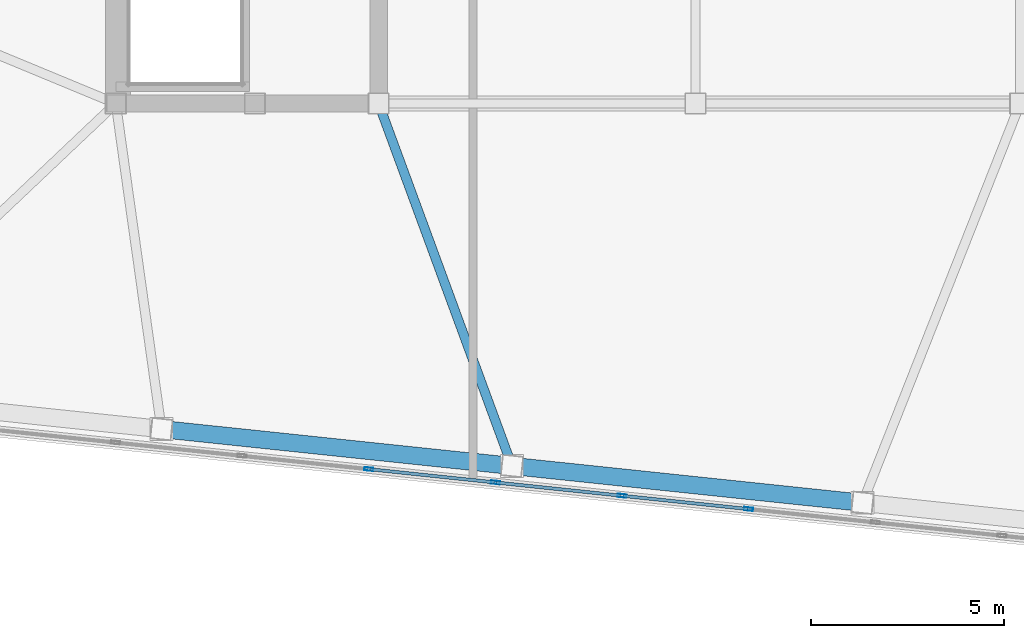
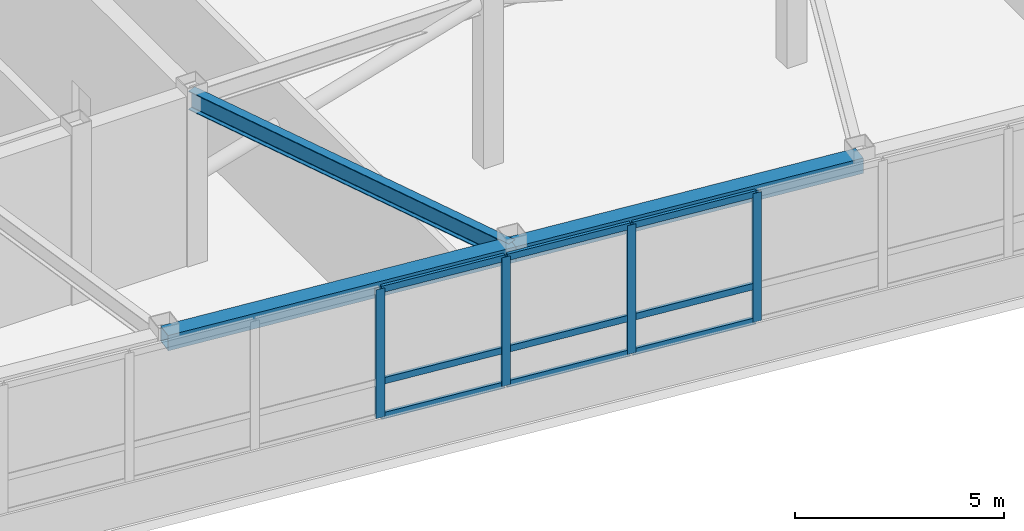
# One storey, part 4 of 21: 13 members, 3 beams, 1 element without a shape of its own.
"""IFC4 building model written with IfcOpenShell, lengths in metres."""

from ifc_helpers import new_model, si_unit, direction, frame, origin, origin_2d, place, context, subcontext, project, spatial, hollow_rectangle, i_section, extrude, material, layer, layer_set, material_profile, profile_set, type_object, element, aggregate, save


model = new_model("IFC4")

# Units and contexts
model_context = context("Model", 3, precision=1e-05, world=origin(), true_north=direction((0.0, 1.0)))
body_context = subcontext(model_context, "Body", "Model", "MODEL_VIEW")
ifc_project = project(units=[si_unit("LENGTHUNIT", "METRE"), si_unit("AREAUNIT", "SQUARE_METRE"), si_unit("VOLUMEUNIT", "CUBIC_METRE"), si_unit("PLANEANGLEUNIT", "RADIAN"), si_unit("MASSUNIT", "GRAM", prefix="KILO")], contexts=[model_context])

# Site, building, storey
site_placement = place(None, origin())
site = spatial("IfcSite", under=ifc_project, at=site_placement, CompositionType="ELEMENT")
building_placement = place(site_placement, origin())
building = spatial("IfcBuilding", under=site, at=building_placement, Name="Voryun Gate Residences", CompositionType="ELEMENT")
storey_placement = place(building_placement, frame((0.0, 0.0, 337.199951171875)))
storey = spatial("IfcBuildingStorey", under=building, at=storey_placement, Name="L82", CompositionType="ELEMENT", Elevation=337.199951171875)

# Beams
ifc_material_1 = material(Name="Steel SM355", Category="steel")
ifc_material_profile_1 = material_profile(ifc_material_1, hollow_rectangle(XDim=0.449951171875, YDim=0.449951171875, WallThickness=0.01806640625, at=origin_2d()), Name="BOX-450x450x18")
ifc_profile_set_1 = profile_set([ifc_material_profile_1], Name="Steel SM355")
beam_type_1 = type_object("IfcBeamType", Name="BM_CROWN_RING", PredefinedType="BEAM", material=ifc_profile_set_1)
beam_1_placement = place(storey_placement, frame((-18.0185546875, -15.824951171875, 4.735107421875), z_axis=(0.994521136856, -0.104535679778, 0.0), x_axis=(0.104535679778, 0.994521136856, 0.0)))
element("IfcBeam", 1, at=beam_1_placement, inside=storey, type_object=beam_type_1, Name="BM-L82-SPAND-02", PredefinedType="BEAM", context=body_context, shape_type="SweptSolid", body=[
    extrude(hollow_rectangle(XDim=0.449951171875, YDim=0.449951171875, WallThickness=0.01806640625, at=origin_2d()), origin(), (0.0, 0.0, 1.0), 9.1201171875),
])
beam_2_placement = place(storey_placement, frame((-8.948486328125, -16.7783203125, 4.735107421875), z_axis=(0.994520844313, -0.104538462908, 0.0), x_axis=(0.104538462908, 0.994520844313, 0.0)))
element("IfcBeam", 2, at=beam_2_placement, inside=storey, type_object=beam_type_1, Name="BM-L82-SPAND-03", PredefinedType="BEAM", context=body_context, shape_type="SweptSolid", body=[
    extrude(hollow_rectangle(XDim=0.449951171875, YDim=0.449951171875, WallThickness=0.01806640625, at=origin_2d()), origin(), (0.0, 0.0, 1.0), 9.119873046875),
])
ifc_material_2 = material(Name="Steel SM355", Category="steel")
ifc_material_profile_2 = material_profile(ifc_material_2, i_section(OverallWidth=0.239990234375, OverallDepth=0.550048828125, WebThickness=0.011962890625, FlangeThickness=0.02001953125, FilletRadius=0.01806640625, at=origin_2d()), Name="H-550x240x12x20")
ifc_profile_set_2 = profile_set([ifc_material_profile_2], Name="Steel SM355")
beam_type_2 = type_object("IfcBeamType", Name="BM_GIRD_550", PredefinedType="USERDEFINED", material=ifc_profile_set_2)
beam_3_placement = place(storey_placement, frame((-12.39990234375, -7.39990234375, 4.68505859375), z_axis=(0.345371356654, -0.938466102746, 0.0), x_axis=(0.938466102746, 0.345371356654, 0.0)))
element("IfcBeam", 3, at=beam_3_placement, inside=storey, type_object=beam_type_2, Name="BM-L82-RAD-S3", ObjectType="GIRDER", PredefinedType="USERDEFINED", context=body_context, shape_type="SweptSolid", body=[
    extrude(i_section(OverallWidth=0.239990234375, OverallDepth=0.550048828125, WebThickness=0.011962890625, FlangeThickness=0.02001953125, FilletRadius=0.01806640625, at=origin_2d()), origin(), (0.0, 0.0, 1.0), 9.993408203125),
])

# Curtain wall, members
ifc_material_3 = material(Name="Anodised aluminium", Category="aluminium")
ifc_layer = layer(ifc_material_3, 0.22998046875, Name="CW_SYS_LANTERN_DARK_GLASS")
ifc_layer_set = layer_set([ifc_layer], Name="Anodised aluminium")
curtain_wall_type = type_object("IfcCurtainWallType", Name="CW_SYS_LANTERN_DARK_GLASS", PredefinedType="NOTDEFINED", material=ifc_layer_set)
curtain_wall_placement = place(storey_placement, origin())
curtain_wall = element("IfcCurtainWall", 4, at=curtain_wall_placement, inside=storey, type_object=curtain_wall_type, Name="Curtain wall CW6-L82-01", PredefinedType="NOTDEFINED")
ifc_material_4 = material(Name="Anodised aluminium", Category="aluminium")
ifc_material_profile_3 = material_profile(ifc_material_4, hollow_rectangle(XDim=0.0849609375, YDim=0.22998046875, WallThickness=0.006103515625, at=origin_2d()), Name="ALU-MULL-230x85x6")
ifc_profile_set_3 = profile_set([ifc_material_profile_3], Name="Anodised aluminium")
member_type_1 = type_object("IfcMemberType", Name="CW_MULL_LANT", PredefinedType="MULLION", material=ifc_profile_set_3)
member_1_placement = place(storey_placement, frame((-2.82421875, -17.89453125, 1.18994140625), z_axis=(0.0, 0.0, 1.0), x_axis=(-0.10452775858, -0.994521969434, 0.0)))
member_1 = element("IfcMember", 5, at=member_1_placement, type_object=member_type_1, Name="CW6 mullion 7", PredefinedType="MULLION", context=body_context, shape_type="SweptSolid", body=[
    extrude(hollow_rectangle(XDim=0.0849609375, YDim=0.22998046875, WallThickness=0.006103515625, at=origin_2d()), origin(), (0.0, 0.0, 1.0), 3.77001953125),
])
member_2_placement = place(storey_placement, frame((-6.10107421875, -17.55029296875, 1.18994140625), z_axis=(0.0, 0.0, 1.0), x_axis=(-0.10452775858, -0.994521969434, 0.0)))
member_2 = element("IfcMember", 6, at=member_2_placement, type_object=member_type_1, Name="CW6 mullion 8", PredefinedType="MULLION", context=body_context, shape_type="SweptSolid", body=[
    extrude(hollow_rectangle(XDim=0.0849609375, YDim=0.22998046875, WallThickness=0.006103515625, at=origin_2d()), origin(), (0.0, 0.0, 1.0), 3.77001953125),
])
member_3_placement = place(storey_placement, frame((-9.377685546875, -17.205810546875, 1.18994140625), z_axis=(0.0, 0.0, 1.0), x_axis=(-0.10452775858, -0.994521969434, 0.0)))
member_3 = element("IfcMember", 7, at=member_3_placement, type_object=member_type_1, Name="CW6 mullion 9", PredefinedType="MULLION", context=body_context, shape_type="SweptSolid", body=[
    extrude(hollow_rectangle(XDim=0.0849609375, YDim=0.22998046875, WallThickness=0.006103515625, at=origin_2d()), origin(), (0.0, 0.0, 1.0), 3.77001953125),
])
member_4_placement = place(storey_placement, frame((-12.654296875, -16.861328125, 1.18994140625), z_axis=(0.0, 0.0, 1.0), x_axis=(-0.10452775858, -0.994521969434, 0.0)))
member_4 = element("IfcMember", 8, at=member_4_placement, type_object=member_type_1, Name="CW6 mullion 10", PredefinedType="MULLION", context=body_context, shape_type="SweptSolid", body=[
    extrude(hollow_rectangle(XDim=0.0849609375, YDim=0.22998046875, WallThickness=0.006103515625, at=origin_2d()), origin(), (0.0, 0.0, 1.0), 3.77001953125),
])
ifc_material_5 = material(Name="Anodised aluminium", Category="aluminium")
ifc_material_profile_4 = material_profile(ifc_material_5, hollow_rectangle(XDim=0.0849609375, YDim=0.18994140625, WallThickness=0.006103515625, at=origin_2d()), Name="ALU-TRAN-190x85x6")
ifc_profile_set_4 = profile_set([ifc_material_profile_4], Name="Anodised aluminium")
member_type_2 = type_object("IfcMemberType", Name="CW_TRAN_LANT", PredefinedType="USERDEFINED", material=ifc_profile_set_4)
member_5_placement = place(storey_placement, frame((-2.854248046875, -17.891357421875, 1.219970703125), z_axis=(-0.994520745033, 0.104539407398, 0.0), x_axis=(-0.104539407398, -0.994520745033, 0.0)))
member_5 = element("IfcMember", 9, at=member_5_placement, type_object=member_type_2, Name="CW6 transom 7.1", ObjectType="TRANSOM", PredefinedType="USERDEFINED", context=body_context, shape_type="SweptSolid", body=[
    extrude(hollow_rectangle(XDim=0.0849609375, YDim=0.18994140625, WallThickness=0.006103515625, at=origin_2d()), origin(), (0.0, 0.0, 1.0), 3.234619140625),
])
member_6_placement = place(storey_placement, frame((-2.854248046875, -17.891357421875, 2.239990234375), z_axis=(-0.994520745033, 0.104539407398, 0.0), x_axis=(-0.104539407398, -0.994520745033, 0.0)))
member_6 = element("IfcMember", 10, at=member_6_placement, type_object=member_type_2, Name="CW6 transom 7.2", ObjectType="TRANSOM", PredefinedType="USERDEFINED", context=body_context, shape_type="SweptSolid", body=[
    extrude(hollow_rectangle(XDim=0.0849609375, YDim=0.18994140625, WallThickness=0.006103515625, at=origin_2d()), origin(), (0.0, 0.0, 1.0), 3.234619140625),
])
member_7_placement = place(storey_placement, frame((-2.854248046875, -17.891357421875, 4.929931640625), z_axis=(-0.994520745033, 0.104539407398, 0.0), x_axis=(-0.104539407398, -0.994520745033, 0.0)))
member_7 = element("IfcMember", 11, at=member_7_placement, type_object=member_type_2, Name="CW6 transom 7.3", ObjectType="TRANSOM", PredefinedType="USERDEFINED", context=body_context, shape_type="SweptSolid", body=[
    extrude(hollow_rectangle(XDim=0.0849609375, YDim=0.18994140625, WallThickness=0.006103515625, at=origin_2d()), origin(), (0.0, 0.0, 1.0), 3.234619140625),
])
member_8_placement = place(storey_placement, frame((-6.130859375, -17.547119140625, 1.219970703125), z_axis=(-0.994520745033, 0.104539407398, 0.0), x_axis=(-0.104539407398, -0.994520745033, 0.0)))
member_8 = element("IfcMember", 12, at=member_8_placement, type_object=member_type_2, Name="CW6 transom 8.1", ObjectType="TRANSOM", PredefinedType="USERDEFINED", context=body_context, shape_type="SweptSolid", body=[
    extrude(hollow_rectangle(XDim=0.0849609375, YDim=0.18994140625, WallThickness=0.006103515625, at=origin_2d()), origin(), (0.0, 0.0, 1.0), 3.234619140625),
])
member_9_placement = place(storey_placement, frame((-6.130859375, -17.547119140625, 2.239990234375), z_axis=(-0.994520745033, 0.104539407398, 0.0), x_axis=(-0.104539407398, -0.994520745033, 0.0)))
member_9 = element("IfcMember", 13, at=member_9_placement, type_object=member_type_2, Name="CW6 transom 8.2", ObjectType="TRANSOM", PredefinedType="USERDEFINED", context=body_context, shape_type="SweptSolid", body=[
    extrude(hollow_rectangle(XDim=0.0849609375, YDim=0.18994140625, WallThickness=0.006103515625, at=origin_2d()), origin(), (0.0, 0.0, 1.0), 3.234619140625),
])
member_10_placement = place(storey_placement, frame((-6.130859375, -17.547119140625, 4.929931640625), z_axis=(-0.994520745033, 0.104539407398, 0.0), x_axis=(-0.104539407398, -0.994520745033, 0.0)))
member_10 = element("IfcMember", 14, at=member_10_placement, type_object=member_type_2, Name="CW6 transom 8.3", ObjectType="TRANSOM", PredefinedType="USERDEFINED", context=body_context, shape_type="SweptSolid", body=[
    extrude(hollow_rectangle(XDim=0.0849609375, YDim=0.18994140625, WallThickness=0.006103515625, at=origin_2d()), origin(), (0.0, 0.0, 1.0), 3.234619140625),
])
member_11_placement = place(storey_placement, frame((-9.407470703125, -17.20263671875, 1.219970703125), z_axis=(-0.994520745033, 0.104539407398, 0.0), x_axis=(-0.104539407398, -0.994520745033, 0.0)))
member_11 = element("IfcMember", 15, at=member_11_placement, type_object=member_type_2, Name="CW6 transom 9.1", ObjectType="TRANSOM", PredefinedType="USERDEFINED", context=body_context, shape_type="SweptSolid", body=[
    extrude(hollow_rectangle(XDim=0.0849609375, YDim=0.18994140625, WallThickness=0.006103515625, at=origin_2d()), origin(), (0.0, 0.0, 1.0), 3.234619140625),
])
member_12_placement = place(storey_placement, frame((-9.407470703125, -17.20263671875, 2.239990234375), z_axis=(-0.994520745033, 0.104539407398, 0.0), x_axis=(-0.104539407398, -0.994520745033, 0.0)))
member_12 = element("IfcMember", 16, at=member_12_placement, type_object=member_type_2, Name="CW6 transom 9.2", ObjectType="TRANSOM", PredefinedType="USERDEFINED", context=body_context, shape_type="SweptSolid", body=[
    extrude(hollow_rectangle(XDim=0.0849609375, YDim=0.18994140625, WallThickness=0.006103515625, at=origin_2d()), origin(), (0.0, 0.0, 1.0), 3.234619140625),
])
member_13_placement = place(storey_placement, frame((-9.407470703125, -17.20263671875, 4.929931640625), z_axis=(-0.994520745033, 0.104539407398, 0.0), x_axis=(-0.104539407398, -0.994520745033, 0.0)))
member_13 = element("IfcMember", 17, at=member_13_placement, type_object=member_type_2, Name="CW6 transom 9.3", ObjectType="TRANSOM", PredefinedType="USERDEFINED", context=body_context, shape_type="SweptSolid", body=[
    extrude(hollow_rectangle(XDim=0.0849609375, YDim=0.18994140625, WallThickness=0.006103515625, at=origin_2d()), origin(), (0.0, 0.0, 1.0), 3.234619140625),
])
aggregate(curtain_wall, [member_1, member_2, member_3, member_4, member_5, member_6, member_7, member_8, member_9, member_10, member_11, member_12, member_13])

save(model, "model.ifc")
